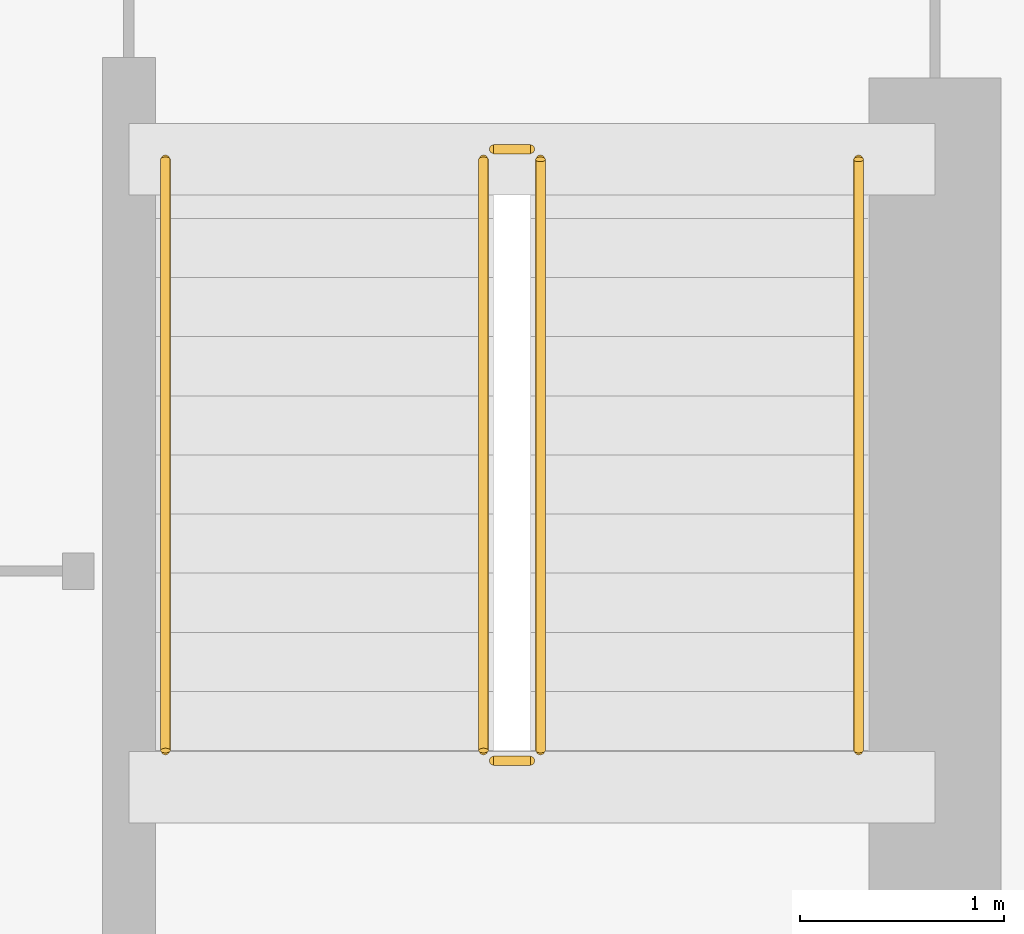
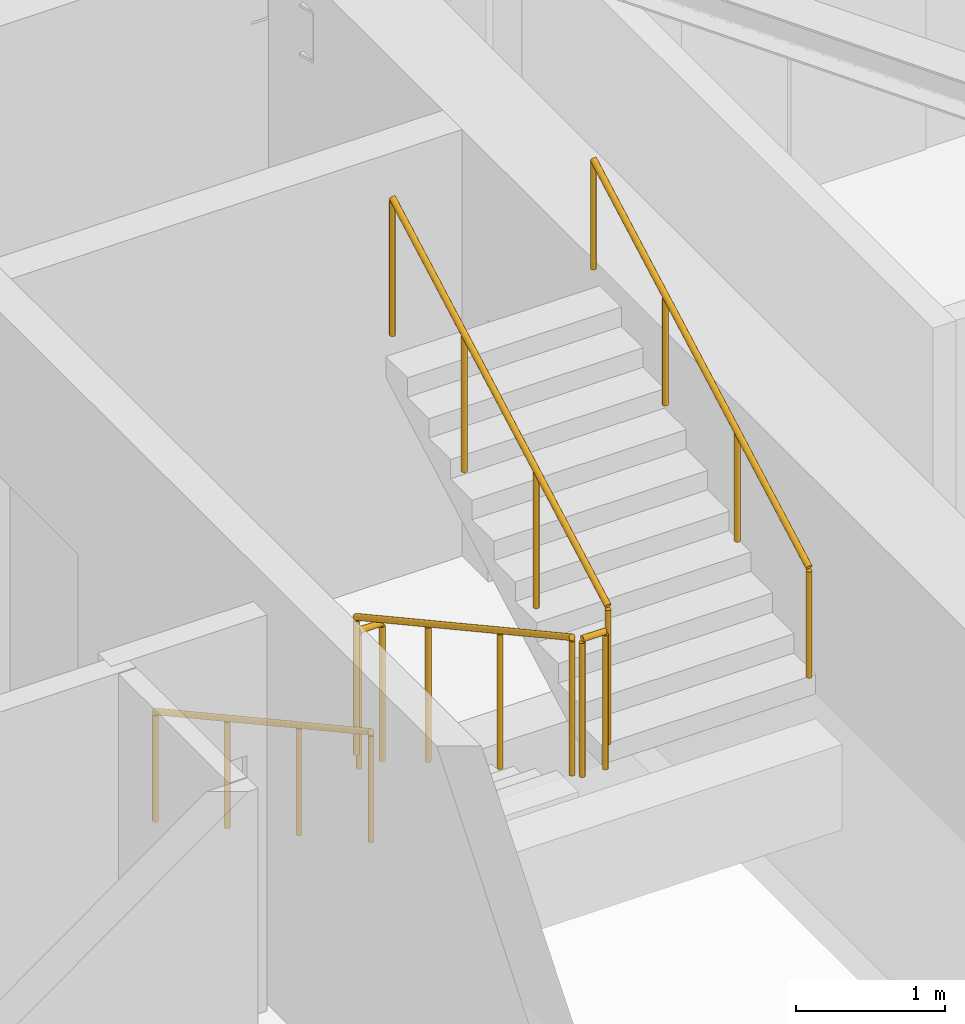
# One storey, part 10 of 10: 6 railings.
"""IFC4 building model written with IfcOpenShell, lengths in metres."""

import ifcopenshell
import ifcopenshell.guid

model = None  # the IFC model being written
_history = None  # IfcOwnerHistory: only IFC2X3 demands one
_inside = {}  # id of a spatial element -> (the spatial element, [elements in it])
_under = {}  # id of a project, library or spatial element -> (it, [spatial elements below it])
_declared = {}  # id of a project -> (the project, [libraries it declares])
_typed = {}  # id of a type object -> (the type object, [elements of that type])
_made_of = {}  # id of a material, layer set ... -> (it, [elements and type objects made of it])


def new_model(schema):
    """Start an empty IFC model of exactly this schema.

    Asked for "IFC4X3", IfcOpenShell would pick the latest addendum, in which some entities
    have other attributes; the version numbers below select the first issue.
    IFC2X3 requires an IfcOwnerHistory on every rooted entity: one is made here for all.
    """
    global model, _history
    if schema == "IFC4X3":
        model = ifcopenshell.file(schema_version=(4, 3, 0, 0))
    else:
        model = ifcopenshell.file(schema=schema)
    _inside.clear()
    _under.clear()
    _declared.clear()
    _typed.clear()
    _made_of.clear()
    _history = None
    if model.schema == "IFC2X3":
        org = make("IfcOrganization", Name="unknown")
        user = make(
            "IfcPersonAndOrganization",
            ThePerson=make("IfcPerson", FamilyName="unknown"),
            TheOrganization=org,
        )
        app = make(
            "IfcApplication",
            ApplicationDeveloper=org,
            Version="unknown",
            ApplicationFullName="unknown",
            ApplicationIdentifier="unknown",
        )
        _history = make(
            "IfcOwnerHistory",
            OwningUser=user,
            OwningApplication=app,
            ChangeAction="ADDED",
            CreationDate=0,
        )
    return model


def make(cls, **values):
    """One entity of the class cls with the attributes given. An attribute that is None is left unset."""
    return model.create_entity(
        cls, **{name: value for name, value in values.items() if value is not None}
    )


def rooted(cls, **values):
    """An entity with a GlobalId (a new one), such as an element, a storey or a relation."""
    return make(cls, GlobalId=ifcopenshell.guid.new(), OwnerHistory=_history, **values)


def si_unit(unit_type, name, prefix=None):
    """IfcSIUnit, for example si_unit("LENGTHUNIT", "METRE", prefix="MILLI")."""
    return make("IfcSIUnit", UnitType=unit_type, Prefix=prefix, Name=name)


def assignment(units):
    """IfcUnitAssignment: the units of a project."""
    return None if units is None else make("IfcUnitAssignment", Units=units)


def point(xyz):
    """IfcCartesianPoint."""
    return None if xyz is None else make("IfcCartesianPoint", Coordinates=xyz)


def direction(xyz):
    """IfcDirection."""
    return None if xyz is None else make("IfcDirection", DirectionRatios=xyz)


def frame(location, z_axis=None, x_axis=None):
    """IfcAxis2Placement3D, a coordinate frame: its origin and axes. An axis left out is left unset."""
    return make(
        "IfcAxis2Placement3D",
        Location=point(location),
        Axis=direction(z_axis),
        RefDirection=direction(x_axis),
    )


def frame_2d(location, x_axis=None):
    """IfcAxis2Placement2D, a coordinate frame in the plane: its origin and x axis."""
    return make(
        "IfcAxis2Placement2D", Location=point(location), RefDirection=direction(x_axis)
    )


def origin():
    """The frame at (0, 0, 0) with its axes left unset."""
    return frame((0.0, 0.0, 0.0))


def origin_2d():
    """The frame at (0, 0) in the plane with its x axis left unset."""
    return frame_2d((0.0, 0.0))


def place(relative_to, where):
    """IfcLocalPlacement: puts the frame where relative to a parent placement (None: the world)."""
    return make(
        "IfcLocalPlacement", PlacementRelTo=relative_to, RelativePlacement=where
    )


def context(
    kind, dimensions, precision=None, world=None, true_north=None, identifier=None
):
    """IfcGeometricRepresentationContext, for example the 3D "Model" context."""
    return make(
        "IfcGeometricRepresentationContext",
        ContextIdentifier=identifier,
        ContextType=kind,
        CoordinateSpaceDimension=dimensions,
        Precision=precision,
        WorldCoordinateSystem=world,
        TrueNorth=true_north,
    )


def subcontext(parent, identifier, kind, view, scale=None):
    """IfcGeometricRepresentationSubContext, for example "Body" below "Model"."""
    return make(
        "IfcGeometricRepresentationSubContext",
        ContextIdentifier=identifier,
        ContextType=kind,
        ParentContext=parent,
        TargetScale=scale,
        TargetView=view,
    )


def project(units=None, contexts=None):
    """IfcProject with its units and contexts."""
    return rooted(
        "IfcProject",
        Name="project",
        RepresentationContexts=contexts,
        UnitsInContext=assignment(units),
    )


def spatial(cls, under=None, at=None, **own):
    """A site, building, storey or space (cls), placed at a placement, below another one or the project."""
    s = rooted(cls, ObjectPlacement=at, **own)
    if under is not None:
        _under.setdefault(under.id(), (under, []))[1].append(s)
    return s


def profile(cls, at=None, kind="AREA", **sizes):
    """A parametric profile (cls). Its sizes go by their IFC names, for example OverallWidth=200.0."""
    return make(cls, ProfileType=kind, Position=at, **sizes)


def circle(**sizes):
    """IfcCircleProfileDef."""
    return profile("IfcCircleProfileDef", **sizes)


def extrude(swept, where, along, depth):
    """IfcExtrudedAreaSolid: the profile swept, set in the frame where, extruded along a direction by depth."""
    return make(
        "IfcExtrudedAreaSolid",
        SweptArea=swept,
        Position=where,
        ExtrudedDirection=direction(along),
        Depth=depth,
    )


def shape(context_of_items, identifier, shape_type, items):
    """IfcShapeRepresentation: the items that make up one representation, for example the "Body"."""
    return make(
        "IfcShapeRepresentation",
        ContextOfItems=context_of_items,
        RepresentationIdentifier=identifier,
        RepresentationType=shape_type,
        Items=items,
    )


def material(Name=None, Category=None):
    """IfcMaterial."""
    return make("IfcMaterial", Name=Name, Category=Category)


def made_of(thing, what):
    """Note that an element or type object is made of a material, layer set ...; save() writes the relation."""
    if what is not None:
        _made_of.setdefault(what.id(), (what, []))[1].append(thing)
    return thing


def type_object(cls, material=None, **own):
    """A type object (cls), such as IfcWallType, which elements share."""
    return made_of(rooted(cls, **own), material)


def element(
    cls,
    number,
    at=None,
    inside=None,
    cuts=None,
    type_object=None,
    material=None,
    context=None,
    identifier="Body",
    shape_type=None,
    held_by="IfcProductDefinitionShape",
    body=None,
    shapes=None,
    **own,
):
    """One element of the class cls, such as IfcWall. Its Tag is "e" and its number.

    at: its placement. inside: the storey or other place that contains it. cuts: it is an
    opening in that element (IfcRelVoidsElement). A single representation is given by context,
    identifier, shape_type and body (its items); several are given by shapes. held_by: the class
    of the entity that holds the representations. save() writes the other relations.
    """
    e = rooted(cls, Tag="e%d" % number, ObjectPlacement=at, **own)
    if body is not None:
        shapes = [shape(context, identifier, shape_type, body)]
    if shapes is not None:
        e.Representation = make(held_by, Representations=shapes)
    if inside is not None:
        _inside.setdefault(inside.id(), (inside, []))[1].append(e)
    if cuts is not None:
        rooted(
            "IfcRelVoidsElement", RelatingBuildingElement=cuts, RelatedOpeningElement=e
        )
    if type_object is not None:
        _typed.setdefault(type_object.id(), (type_object, []))[1].append(e)
    return made_of(e, material)


def aggregate(whole, parts):
    """IfcRelAggregates: a whole, such as a stair, and the parts it consists of."""
    return rooted("IfcRelAggregates", RelatingObject=whole, RelatedObjects=parts)


def save(model, path):
    """Write the relations noted so far, then the file.

    IfcRelAggregates (storeys below a building ...), IfcRelContainedInSpatialStructure (elements
    in a storey), IfcRelDefinesByType, IfcRelAssociatesMaterial and IfcRelDeclares: one each for
    every whole, place, type object, material and project.
    """
    for whole, parts in _under.values():
        aggregate(whole, parts)
    for where, things in _inside.values():
        rooted(
            "IfcRelContainedInSpatialStructure",
            RelatedElements=things,
            RelatingStructure=where,
        )
    for kind, things in _typed.values():
        rooted("IfcRelDefinesByType", RelatedObjects=things, RelatingType=kind)
    for what, things in _made_of.values():
        rooted("IfcRelAssociatesMaterial", RelatedObjects=things, RelatingMaterial=what)
    for by, libraries in _declared.values():
        rooted("IfcRelDeclares", RelatingContext=by, RelatedDefinitions=libraries)
    model.write(path)


model = new_model("IFC4")

# Units and contexts
model_context = context("Model", 3, precision=1e-05, world=origin(), true_north=direction((0.0, 1.0)))
body_context = subcontext(model_context, "Body", "Model", "MODEL_VIEW")
ifc_project = project(units=[si_unit("LENGTHUNIT", "METRE"), si_unit("AREAUNIT", "SQUARE_METRE"), si_unit("VOLUMEUNIT", "CUBIC_METRE"), si_unit("PLANEANGLEUNIT", "RADIAN"), si_unit("MASSUNIT", "GRAM", prefix="KILO")], contexts=[model_context])

# Site, building, storey
site_placement = place(None, origin())
site = spatial("IfcSite", under=ifc_project, at=site_placement, CompositionType="ELEMENT")
building_placement = place(site_placement, origin())
building = spatial("IfcBuilding", under=site, at=building_placement, Name="Calvemar Wedge Station Tower", CompositionType="ELEMENT")
storey_placement = place(building_placement, frame((0.0, 0.0, 200.89990234375)))
storey = spatial("IfcBuildingStorey", under=building, at=storey_placement, Name="L50", CompositionType="ELEMENT", Elevation=200.89990234375)

# Railings
ifc_material_1 = material(Name="Stainless steel AISI 316L", Category="steel")
railing_type_1 = type_object("IfcRailingType", Name="RL-HANDRAIL-920", PredefinedType="HANDRAIL", material=ifc_material_1)
railing_1_placement = place(storey_placement, frame((27.550048828125, 41.14990234375, 0.1591796875)))
element("IfcRailing", 1, at=railing_1_placement, inside=storey, type_object=railing_type_1, Name="L50 ST-C2 stair handrail 1", PredefinedType="HANDRAIL", context=body_context, shape_type="SweptSolid", body=[
    extrude(circle(Radius=0.02392578125, at=origin_2d()), frame((0.0, 0.0, 0.89599609375), z_axis=(0.0, -0.876742130028, 0.480960744171), x_axis=(1.0, 0.0, 0.0)), (0.0, 0.0, 1.0), 3.3076171875),
    extrude(circle(Radius=0.02099609375, at=origin_2d()), origin(), (0.0, 0.0, 1.0), 0.871826171875),
    extrude(circle(Radius=0.02099609375, at=origin_2d()), frame((0.0, -0.966552734375, 0.5302734375)), (0.0, 0.0, 1.0), 0.871826171875),
    extrude(circle(Radius=0.02099609375, at=origin_2d()), frame((0.0, -1.933349609375, 1.060546875)), (0.0, 0.0, 1.0), 0.871826171875),
    extrude(circle(Radius=0.02099609375, at=origin_2d()), frame((0.0, -2.89990234375, 1.5908203125)), (0.0, 0.0, 1.0), 0.871826171875),
])
railing_2_placement = place(storey_placement, frame((30.949951171875, 38.25, 1.9091796875)))
element("IfcRailing", 2, at=railing_2_placement, inside=storey, type_object=railing_type_1, Name="L50 ST-C2 stair handrail 2", PredefinedType="HANDRAIL", context=body_context, shape_type="SweptSolid", body=[
    extrude(circle(Radius=0.02392578125, at=origin_2d()), frame((0.0, 0.0, 0.89599609375), z_axis=(0.0, 0.876742130028, 0.480960744171), x_axis=(-1.0, 0.0, 0.0)), (0.0, 0.0, 1.0), 3.3076171875),
    extrude(circle(Radius=0.02099609375, at=origin_2d()), origin(), (0.0, 0.0, 1.0), 0.871826171875),
    extrude(circle(Radius=0.02099609375, at=origin_2d()), frame((0.0, 0.966552734375, 0.5302734375)), (0.0, 0.0, 1.0), 0.871826171875),
    extrude(circle(Radius=0.02099609375, at=origin_2d()), frame((0.0, 1.933349609375, 1.060546875)), (0.0, 0.0, 1.0), 0.871826171875),
    extrude(circle(Radius=0.02099609375, at=origin_2d()), frame((0.0, 2.89990234375, 1.5908203125)), (0.0, 0.0, 1.0), 0.871826171875),
])
ifc_material_2 = material(Name="Painted steel guardrail ASTM A500 Grade C", Category="steel")
railing_type_2 = type_object("IfcRailingType", Name="RL-STAIR-GUARD-1150", PredefinedType="GUARDRAIL", material=ifc_material_2)
railing_3_placement = place(storey_placement, frame((29.110107421875, 41.14990234375, 0.1591796875)))
element("IfcRailing", 3, at=railing_3_placement, inside=storey, type_object=railing_type_2, Name="L50 ST-C2 stair guard 1", PredefinedType="GUARDRAIL", context=body_context, shape_type="SweptSolid", body=[
    extrude(circle(Radius=0.02392578125, at=origin_2d()), frame((0.0, 0.0, 1.1259765625), z_axis=(0.0, -0.876742130028, 0.480960744171), x_axis=(1.0, 0.0, 0.0)), (0.0, 0.0, 1.0), 3.3076171875),
    extrude(circle(Radius=0.02099609375, at=origin_2d()), origin(), (0.0, 0.0, 1.0), 1.101806640625),
    extrude(circle(Radius=0.02099609375, at=origin_2d()), frame((0.0, -0.966552734375, 0.5302734375)), (0.0, 0.0, 1.0), 1.101806640625),
    extrude(circle(Radius=0.02099609375, at=origin_2d()), frame((0.0, -1.933349609375, 1.060546875)), (0.0, 0.0, 1.0), 1.101806640625),
    extrude(circle(Radius=0.02099609375, at=origin_2d()), frame((0.0, -2.89990234375, 1.5908203125)), (0.0, 0.0, 1.0), 1.101806640625),
])
railing_4_placement = place(storey_placement, frame((29.159912109375, 38.199951171875, 1.75)))
element("IfcRailing", 4, at=railing_4_placement, inside=storey, type_object=railing_type_2, Name="L50 ST-C2 stair guard 2", PredefinedType="GUARDRAIL", context=body_context, shape_type="SweptSolid", body=[
    extrude(circle(Radius=0.02392578125, at=origin_2d()), frame((0.0, 0.0, 1.1259765625), z_axis=(1.0, 0.0, 0.0), x_axis=(0.0, 1.0, 0.0)), (0.0, 0.0, 1.0), 0.18017578125),
    extrude(circle(Radius=0.02099609375, at=origin_2d()), origin(), (0.0, 0.0, 1.0), 1.101806640625),
    extrude(circle(Radius=0.02099609375, at=origin_2d()), frame((0.18017578125, 0.0, 0.0)), (0.0, 0.0, 1.0), 1.101806640625),
])
railing_5_placement = place(storey_placement, frame((29.389892578125, 38.25, 1.9091796875)))
element("IfcRailing", 5, at=railing_5_placement, inside=storey, type_object=railing_type_2, Name="L50 ST-C2 stair guard 3", PredefinedType="GUARDRAIL", context=body_context, shape_type="SweptSolid", body=[
    extrude(circle(Radius=0.02392578125, at=origin_2d()), frame((0.0, 0.0, 1.1259765625), z_axis=(0.0, 0.876742130028, 0.480960744171), x_axis=(-1.0, 0.0, 0.0)), (0.0, 0.0, 1.0), 3.3076171875),
    extrude(circle(Radius=0.02099609375, at=origin_2d()), origin(), (0.0, 0.0, 1.0), 1.101806640625),
    extrude(circle(Radius=0.02099609375, at=origin_2d()), frame((0.0, 0.966552734375, 0.5302734375)), (0.0, 0.0, 1.0), 1.101806640625),
    extrude(circle(Radius=0.02099609375, at=origin_2d()), frame((0.0, 1.933349609375, 1.060546875)), (0.0, 0.0, 1.0), 1.101806640625),
    extrude(circle(Radius=0.02099609375, at=origin_2d()), frame((0.0, 2.89990234375, 1.5908203125)), (0.0, 0.0, 1.0), 1.101806640625),
])
railing_6_placement = place(storey_placement, frame((29.159912109375, 41.199951171875, 0.0)))
element("IfcRailing", 6, at=railing_6_placement, inside=storey, type_object=railing_type_2, Name="L50 ST-C2 stair guard 4", PredefinedType="GUARDRAIL", context=body_context, shape_type="SweptSolid", body=[
    extrude(circle(Radius=0.02392578125, at=origin_2d()), frame((0.0, 0.0, 1.1259765625), z_axis=(1.0, 0.0, 0.0), x_axis=(0.0, 1.0, 0.0)), (0.0, 0.0, 1.0), 0.18017578125),
    extrude(circle(Radius=0.02099609375, at=origin_2d()), origin(), (0.0, 0.0, 1.0), 1.101806640625),
    extrude(circle(Radius=0.02099609375, at=origin_2d()), frame((0.18017578125, 0.0, 0.0)), (0.0, 0.0, 1.0), 1.101806640625),
])

save(model, "model.ifc")
